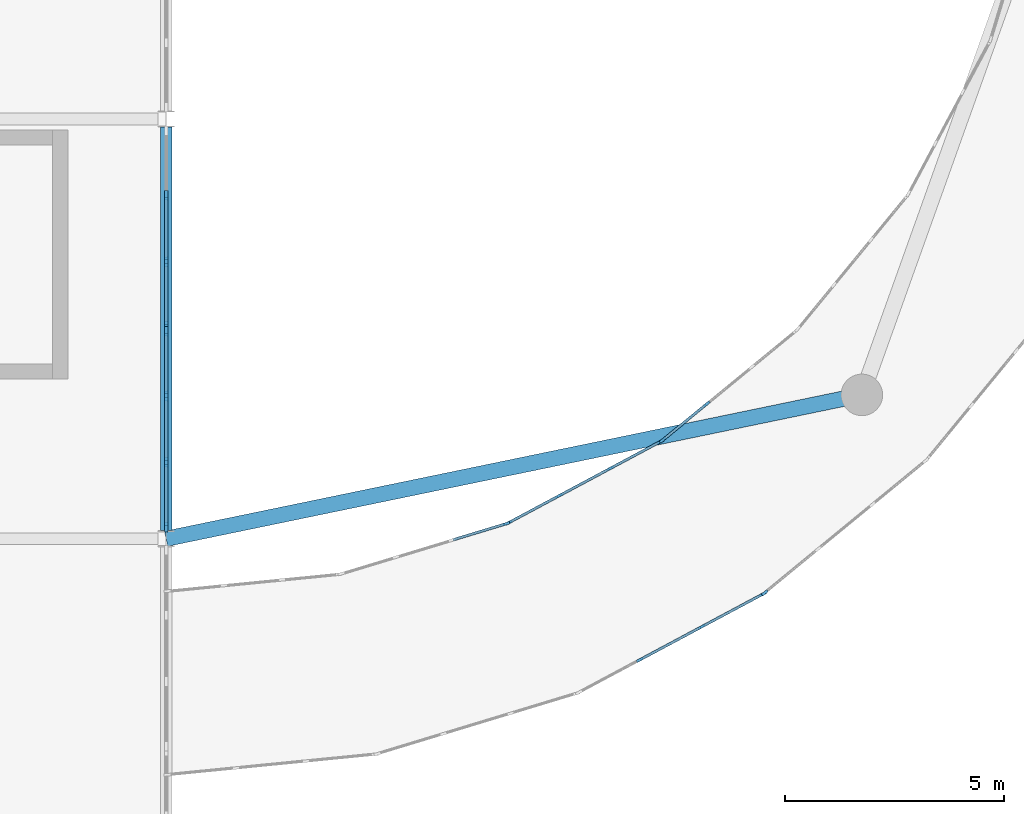
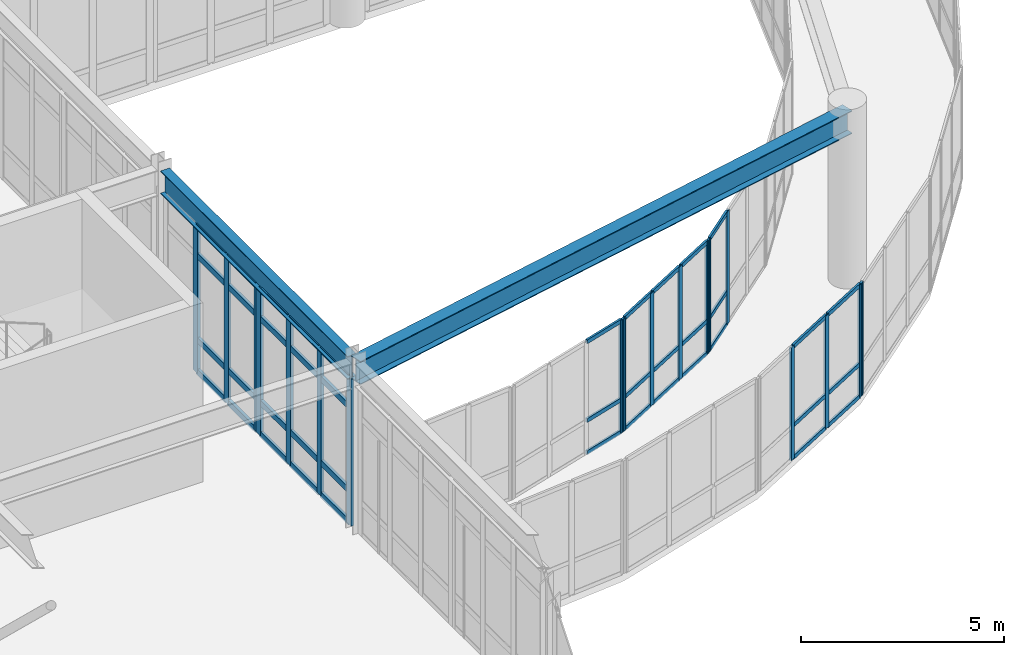
# One storey, part 18 of 72: 59 members, 2 beams, 7 elements without a shape of their own.
"""IFC4 building model written with IfcOpenShell, lengths in metres."""

from ifc_helpers import new_model, si_unit, direction, frame, origin, origin_2d, place, context, subcontext, project, spatial, rectangle, i_section, extrude, material, material_profile, profile_set, type_object, element, aggregate, save


model = new_model("IFC4")

# Units and contexts
model_context = context("Model", 3, precision=1e-05, world=origin(), true_north=direction((0.0, 1.0)))
body_context = subcontext(model_context, "Body", "Model", "MODEL_VIEW")
ifc_project = project(units=[si_unit("LENGTHUNIT", "METRE"), si_unit("AREAUNIT", "SQUARE_METRE"), si_unit("VOLUMEUNIT", "CUBIC_METRE"), si_unit("PLANEANGLEUNIT", "RADIAN"), si_unit("MASSUNIT", "GRAM", prefix="KILO")], contexts=[model_context])

# Site, building, storey
site_placement = place(None, origin())
site = spatial("IfcSite", under=ifc_project, at=site_placement, CompositionType="ELEMENT")
building_placement = place(site_placement, origin())
building = spatial("IfcBuilding", under=site, at=building_placement, Name="Veldera Park Congress Hotel", CompositionType="ELEMENT")
storey_placement = place(building_placement, frame((0.0, 0.0, 5.39990234375)))
storey = spatial("IfcBuildingStorey", under=building, at=storey_placement, Name="L01", CompositionType="ELEMENT", Elevation=5.39990234375)

# Beams
ifc_material_1 = material(Name="Steel ASTM A992 Gr.50", Category="steel")
ifc_material_profile_1 = material_profile(ifc_material_1, i_section(OverallWidth=0.256103515625, OverallDepth=0.693115234375, WebThickness=0.014404296875, FlangeThickness=0.023681640625, at=origin_2d()), Name="W27X114")
ifc_profile_set_1 = profile_set([ifc_material_profile_1], Name="Steel ASTM A992 Gr.50")
beam_type_1 = type_object("IfcBeamType", Name="BM-W27", PredefinedType="BEAM", material=ifc_profile_set_1)
beam_1_placement = place(storey_placement, frame((-1.60009765625, -1.614013671875, 4.78369140625), z_axis=(0.0, 1.0, 0.0), x_axis=(-1.0, 0.0, 0.0)))
element("IfcBeam", 1, at=beam_1_placement, inside=storey, type_object=beam_type_1, Name="L01 Girder BM-W27 702", PredefinedType="BEAM", context=body_context, shape_type="SweptSolid", body=[
    extrude(i_section(OverallWidth=0.256103515625, OverallDepth=0.693115234375, WebThickness=0.014404296875, FlangeThickness=0.023681640625, at=origin_2d()), origin(), (0.0, 0.0, 1.0), 9.22802734375),
])
ifc_material_profile_2 = material_profile(ifc_material_1, i_section(OverallWidth=0.35498046875, OverallDepth=0.696044921875, WebThickness=0.015380859375, FlangeThickness=0.02490234375, at=origin_2d()), Name="W27X146")
ifc_profile_set_2 = profile_set([ifc_material_profile_2], Name="Steel ASTM A992 Gr.50")
beam_type_2 = type_object("IfcBeamType", Name="BM-W27E", PredefinedType="BEAM", material=ifc_profile_set_2)
beam_2_placement = place(storey_placement, frame((-1.60009765625, -1.800048828125, 4.7900390625), z_axis=(0.979280770747, 0.202507214796, 0.0), x_axis=(-0.202507214796, 0.979280770747, 0.0)))
element("IfcBeam", 2, at=beam_2_placement, inside=storey, type_object=beam_type_2, Name="L01 Skybridge Support Girder A W", PredefinedType="BEAM", context=body_context, shape_type="SweptSolid", body=[
    extrude(i_section(OverallWidth=0.35498046875, OverallDepth=0.696044921875, WebThickness=0.015380859375, FlangeThickness=0.02490234375, at=origin_2d()), origin(), (0.0, 0.0, 1.0), 16.24658203125),
])

# Curtain wall, members
ifc_material_2 = material(Name="Low-E Triple Insulating Glass Unit (SHGC 0.22)", Category="glass")
curtain_wall_type_1 = type_object("IfcCurtainWallType", Name="CW-BRG", PredefinedType="NOTDEFINED", material=ifc_material_2)
curtain_wall_1_placement = place(storey_placement, origin())
curtain_wall_1 = element("IfcCurtainWall", 3, at=curtain_wall_1_placement, inside=storey, type_object=curtain_wall_type_1, Name="L01 Curtain Wall CW3-BRGW-L01-A02", PredefinedType="NOTDEFINED")
ifc_material_3 = material(Name="Anodised Aluminium Alloy 6063-T6", Category="aluminium")
ifc_material_profile_3 = material_profile(ifc_material_3, rectangle(XDim=0.06005859375, YDim=0.159912109375, at=origin_2d()), Name="ALU 60x160")
ifc_profile_set_3 = profile_set([ifc_material_profile_3], Name="Anodised Aluminium Alloy 6063-T6")
member_type_1 = type_object("IfcMemberType", Name="CWM-160", PredefinedType="MULLION", material=ifc_profile_set_3)
member_1_placement = place(storey_placement, frame((9.231689453125, -4.569580078125, 0.0), z_axis=(0.0, 0.0, 1.0), x_axis=(-0.471384501415, 0.881927804203, 0.0)))
member_1 = element("IfcMember", 4, at=member_1_placement, type_object=member_type_1, Name="CW-BRG mullion 2", PredefinedType="MULLION", context=body_context, shape_type="SweptSolid", body=[
    extrude(rectangle(XDim=0.06005859375, YDim=0.159912109375, at=origin_2d()), origin(), (0.0, 0.0, 1.0), 3.400146484375),
])
member_2_placement = place(storey_placement, frame((10.6494140625, -3.81201171875, 0.0), z_axis=(0.0, 0.0, 1.0), x_axis=(-0.471384501415, 0.881927804203, 0.0)))
member_2 = element("IfcMember", 5, at=member_2_placement, type_object=member_type_1, Name="CW-BRG mullion 3", PredefinedType="MULLION", context=body_context, shape_type="SweptSolid", body=[
    extrude(rectangle(XDim=0.06005859375, YDim=0.159912109375, at=origin_2d()), origin(), (0.0, 0.0, 1.0), 3.400146484375),
])
member_3_placement = place(storey_placement, frame((12.04052734375, -3.068359375, 0.0), z_axis=(0.0, 0.0, 1.0), x_axis=(-0.471384501415, 0.881927804203, 0.0)))
member_3 = element("IfcMember", 6, at=member_3_placement, type_object=member_type_1, Name="CW-BRG mullion 4", PredefinedType="MULLION", context=body_context, shape_type="SweptSolid", body=[
    extrude(rectangle(XDim=0.06005859375, YDim=0.159912109375, at=origin_2d()), origin(), (0.0, 0.0, 1.0), 3.400146484375),
])

# Curtain wall, member
curtain_wall_2_placement = place(storey_placement, origin())
curtain_wall_2 = element("IfcCurtainWall", 7, at=curtain_wall_2_placement, inside=storey, type_object=curtain_wall_type_1, Name="L01 Curtain Wall CW3-BRGW-L01-A03", PredefinedType="NOTDEFINED")
member_4_placement = place(storey_placement, frame((12.090087890625, -3.03515625, 0.0), z_axis=(0.0, 0.0, 1.0), x_axis=(-0.634402404183, 0.773002968666, 0.0)))
member_4 = element("IfcMember", 8, at=member_4_placement, type_object=member_type_1, Name="CW-BRG mullion 1", PredefinedType="MULLION", context=body_context, shape_type="SweptSolid", body=[
    extrude(rectangle(XDim=0.06005859375, YDim=0.159912109375, at=origin_2d()), origin(), (0.0, 0.0, 1.0), 3.400146484375),
])
aggregate(curtain_wall_2, [member_4])

# Curtain wall, members
curtain_wall_3_placement = place(storey_placement, origin())
curtain_wall_3 = element("IfcCurtainWall", 9, at=curtain_wall_3_placement, inside=storey, type_object=curtain_wall_type_1, Name="L01 Curtain Wall CW3-BRGW-L01-B13", PredefinedType="NOTDEFINED")
member_5_placement = place(storey_placement, frame((10.76416015625, 1.28369140625, 0.0), z_axis=(0.0, 0.0, 1.0), x_axis=(0.634386349036, -0.773016144823, 0.0)))
member_5 = element("IfcMember", 10, at=member_5_placement, type_object=member_type_1, Name="CW-BRG mullion 3", PredefinedType="MULLION", context=body_context, shape_type="SweptSolid", body=[
    extrude(rectangle(XDim=0.06005859375, YDim=0.159912109375, at=origin_2d()), origin(), (0.0, 0.0, 1.0), 3.400146484375),
])
member_6_placement = place(storey_placement, frame((9.7568359375, 0.45703125, 0.0), z_axis=(0.0, 0.0, 1.0), x_axis=(0.634386349036, -0.773016144823, 0.0)))
member_6 = element("IfcMember", 11, at=member_6_placement, type_object=member_type_1, Name="CW-BRG mullion 4", PredefinedType="MULLION", context=body_context, shape_type="SweptSolid", body=[
    extrude(rectangle(XDim=0.06005859375, YDim=0.159912109375, at=origin_2d()), origin(), (0.0, 0.0, 1.0), 3.400146484375),
])

curtain_wall_4_placement = place(storey_placement, origin())
curtain_wall_4 = element("IfcCurtainWall", 12, at=curtain_wall_4_placement, inside=storey, type_object=curtain_wall_type_1, Name="L01 Curtain Wall CW3-BRGW-L01-B14", PredefinedType="NOTDEFINED")
member_7_placement = place(storey_placement, frame((9.70703125, 0.423828125, 0.0), z_axis=(0.0, 0.0, 1.0), x_axis=(0.471383642588, -0.881928263239, 0.0)))
member_7 = element("IfcMember", 13, at=member_7_placement, type_object=member_type_1, Name="CW-BRG mullion 1", PredefinedType="MULLION", context=body_context, shape_type="SweptSolid", body=[
    extrude(rectangle(XDim=0.06005859375, YDim=0.159912109375, at=origin_2d()), origin(), (0.0, 0.0, 1.0), 3.400146484375),
])
member_8_placement = place(storey_placement, frame((8.557861328125, -0.1904296875, 0.0), z_axis=(0.0, 0.0, 1.0), x_axis=(0.471383642588, -0.881928263239, 0.0)))
member_8 = element("IfcMember", 14, at=member_8_placement, type_object=member_type_1, Name="CW-BRG mullion 2", PredefinedType="MULLION", context=body_context, shape_type="SweptSolid", body=[
    extrude(rectangle(XDim=0.06005859375, YDim=0.159912109375, at=origin_2d()), origin(), (0.0, 0.0, 1.0), 3.400146484375),
])
member_9_placement = place(storey_placement, frame((7.38232421875, -0.81884765625, 0.0), z_axis=(0.0, 0.0, 1.0), x_axis=(0.471383642588, -0.881928263239, 0.0)))
member_9 = element("IfcMember", 15, at=member_9_placement, type_object=member_type_1, Name="CW-BRG mullion 3", PredefinedType="MULLION", context=body_context, shape_type="SweptSolid", body=[
    extrude(rectangle(XDim=0.06005859375, YDim=0.159912109375, at=origin_2d()), origin(), (0.0, 0.0, 1.0), 3.400146484375),
])
member_10_placement = place(storey_placement, frame((6.233154296875, -1.432861328125, 0.0), z_axis=(0.0, 0.0, 1.0), x_axis=(0.471383642588, -0.881928263239, 0.0)))
member_10 = element("IfcMember", 16, at=member_10_placement, type_object=member_type_1, Name="CW-BRG mullion 4", PredefinedType="MULLION", context=body_context, shape_type="SweptSolid", body=[
    extrude(rectangle(XDim=0.06005859375, YDim=0.159912109375, at=origin_2d()), origin(), (0.0, 0.0, 1.0), 3.400146484375),
])

# Curtain wall, member
curtain_wall_5_placement = place(storey_placement, origin())
curtain_wall_5 = element("IfcCurtainWall", 17, at=curtain_wall_5_placement, inside=storey, type_object=curtain_wall_type_1, Name="L01 Curtain Wall CW3-BRGW-L01-B15", PredefinedType="NOTDEFINED")
member_11_placement = place(storey_placement, frame((6.177978515625, -1.455810546875, 0.0), z_axis=(0.0, 0.0, 1.0), x_axis=(0.290289846929, -0.956938767513, 0.0)))
member_11 = element("IfcMember", 18, at=member_11_placement, type_object=member_type_1, Name="CW-BRG mullion 1", PredefinedType="MULLION", context=body_context, shape_type="SweptSolid", body=[
    extrude(rectangle(XDim=0.06005859375, YDim=0.159912109375, at=origin_2d()), origin(), (0.0, 0.0, 1.0), 3.400146484375),
])

# Curtain wall, members
curtain_wall_type_2 = type_object("IfcCurtainWallType", Name="CW-POD", PredefinedType="NOTDEFINED", material=ifc_material_2)
curtain_wall_6_placement = place(storey_placement, origin())
curtain_wall_6 = element("IfcCurtainWall", 19, at=curtain_wall_6_placement, inside=storey, type_object=curtain_wall_type_2, Name="L01 Curtain Wall CW3-V1E-L01-025", PredefinedType="NOTDEFINED")
ifc_material_profile_4 = material_profile(ifc_material_3, rectangle(XDim=0.080078125, YDim=0.219970703125, at=origin_2d()), Name="ALU 80x220")
ifc_profile_set_4 = profile_set([ifc_material_profile_4], Name="Anodised Aluminium Alloy 6063-T6")
member_type_2 = type_object("IfcMemberType", Name="CWM-220", PredefinedType="MULLION", material=ifc_profile_set_4)
member_12_placement = place(storey_placement, frame((-1.60009765625, -1.533935546875, 0.0), z_axis=(0.0, 0.0, 1.0), x_axis=(-1.0, 0.0, 0.0)))
member_12 = element("IfcMember", 20, at=member_12_placement, type_object=member_type_2, Name="CW-POD mullion 1", PredefinedType="MULLION", context=body_context, shape_type="SweptSolid", body=[
    extrude(rectangle(XDim=0.080078125, YDim=0.219970703125, at=origin_2d()), origin(), (0.0, 0.0, 1.0), 4.43212890625),
])
member_13_placement = place(storey_placement, frame((-1.60009765625, -0.054443359375, 0.0), z_axis=(0.0, 0.0, 1.0), x_axis=(-1.0, 0.0, 0.0)))
member_13 = element("IfcMember", 21, at=member_13_placement, type_object=member_type_2, Name="CW-POD mullion 2", PredefinedType="MULLION", context=body_context, shape_type="SweptSolid", body=[
    extrude(rectangle(XDim=0.080078125, YDim=0.219970703125, at=origin_2d()), origin(), (0.0, 0.0, 1.0), 4.43212890625),
])
member_14_placement = place(storey_placement, frame((-1.60009765625, 1.46533203125, 0.0), z_axis=(0.0, 0.0, 1.0), x_axis=(-1.0, 0.0, 0.0)))
member_14 = element("IfcMember", 22, at=member_14_placement, type_object=member_type_2, Name="CW-POD mullion 3", PredefinedType="MULLION", context=body_context, shape_type="SweptSolid", body=[
    extrude(rectangle(XDim=0.080078125, YDim=0.219970703125, at=origin_2d()), origin(), (0.0, 0.0, 1.0), 4.43212890625),
])
member_15_placement = place(storey_placement, frame((-1.60009765625, 2.945068359375, 0.0), z_axis=(0.0, 0.0, 1.0), x_axis=(-1.0, 0.0, 0.0)))
member_15 = element("IfcMember", 23, at=member_15_placement, type_object=member_type_2, Name="CW-POD mullion 4", PredefinedType="MULLION", context=body_context, shape_type="SweptSolid", body=[
    extrude(rectangle(XDim=0.080078125, YDim=0.219970703125, at=origin_2d()), origin(), (0.0, 0.0, 1.0), 4.43212890625),
])

curtain_wall_7_placement = place(storey_placement, origin())
curtain_wall_7 = element("IfcCurtainWall", 24, at=curtain_wall_7_placement, inside=storey, type_object=curtain_wall_type_2, Name="L01 Curtain Wall CW3-V1E-L01-026", PredefinedType="NOTDEFINED")
member_16_placement = place(storey_placement, frame((-1.60009765625, 3.054931640625, 0.0), z_axis=(0.0, 0.0, 1.0), x_axis=(-1.0, 0.0, 0.0)))
member_16 = element("IfcMember", 25, at=member_16_placement, type_object=member_type_2, Name="CW-POD mullion 1", PredefinedType="MULLION", context=body_context, shape_type="SweptSolid", body=[
    extrude(rectangle(XDim=0.080078125, YDim=0.219970703125, at=origin_2d()), origin(), (0.0, 0.0, 1.0), 4.43212890625),
])
member_17_placement = place(storey_placement, frame((-1.60009765625, 4.53466796875, 0.0), z_axis=(0.0, 0.0, 1.0), x_axis=(-1.0, 0.0, 0.0)))
member_17 = element("IfcMember", 26, at=member_17_placement, type_object=member_type_2, Name="CW-POD mullion 2", PredefinedType="MULLION", context=body_context, shape_type="SweptSolid", body=[
    extrude(rectangle(XDim=0.080078125, YDim=0.219970703125, at=origin_2d()), origin(), (0.0, 0.0, 1.0), 4.43212890625),
])
member_18_placement = place(storey_placement, frame((-1.60009765625, 6.054443359375, 0.0), z_axis=(0.0, 0.0, 1.0), x_axis=(-1.0, 0.0, 0.0)))
member_18 = element("IfcMember", 27, at=member_18_placement, type_object=member_type_2, Name="CW-POD mullion 3", PredefinedType="MULLION", context=body_context, shape_type="SweptSolid", body=[
    extrude(rectangle(XDim=0.080078125, YDim=0.219970703125, at=origin_2d()), origin(), (0.0, 0.0, 1.0), 4.43212890625),
])

# Member
ifc_material_profile_5 = material_profile(ifc_material_3, rectangle(XDim=0.06005859375, YDim=0.1201171875, at=origin_2d()), Name="ALU 60x120")
ifc_profile_set_5 = profile_set([ifc_material_profile_5], Name="Anodised Aluminium Alloy 6063-T6")
member_type_3 = type_object("IfcMemberType", Name="CWT-120", PredefinedType="USERDEFINED", material=ifc_profile_set_5)
member_19_placement = place(storey_placement, frame((9.258056640625, -4.555419921875, 0.030029296875), z_axis=(0.881981423245, 0.471284170167, 0.0), x_axis=(-0.471284170167, 0.881981423245, 0.0)))
member_19 = element("IfcMember", 28, at=member_19_placement, type_object=member_type_3, Name="CW-BRG transom 2.1", ObjectType="TRANSOM", PredefinedType="USERDEFINED", context=body_context, shape_type="SweptSolid", body=[
    extrude(rectangle(XDim=0.06005859375, YDim=0.1201171875, at=origin_2d()), origin(), (0.0, 0.0, 1.0), 1.54736328125),
])

member_20_placement = place(storey_placement, frame((9.258056640625, -4.555419921875, 1.0), z_axis=(0.881981423245, 0.471284170167, 0.0), x_axis=(-0.471284170167, 0.881981423245, 0.0)))
member_20 = element("IfcMember", 29, at=member_20_placement, type_object=member_type_3, Name="CW-BRG transom 2.2", ObjectType="TRANSOM", PredefinedType="USERDEFINED", context=body_context, shape_type="SweptSolid", body=[
    extrude(rectangle(XDim=0.06005859375, YDim=0.1201171875, at=origin_2d()), origin(), (0.0, 0.0, 1.0), 1.54736328125),
])

member_21_placement = place(storey_placement, frame((9.258056640625, -4.555419921875, 3.3701171875), z_axis=(0.881981423245, 0.471284170167, 0.0), x_axis=(-0.471284170167, 0.881981423245, 0.0)))
member_21 = element("IfcMember", 30, at=member_21_placement, type_object=member_type_3, Name="CW-BRG transom 2.3", ObjectType="TRANSOM", PredefinedType="USERDEFINED", context=body_context, shape_type="SweptSolid", body=[
    extrude(rectangle(XDim=0.06005859375, YDim=0.1201171875, at=origin_2d()), origin(), (0.0, 0.0, 1.0), 1.54736328125),
])

member_22_placement = place(storey_placement, frame((10.67578125, -3.7978515625, 0.030029296875), z_axis=(0.881933974892, 0.4713729563, 0.0), x_axis=(-0.4713729563, 0.881933974892, 0.0)))
member_22 = element("IfcMember", 31, at=member_22_placement, type_object=member_type_3, Name="CW-BRG transom 3.1", ObjectType="TRANSOM", PredefinedType="USERDEFINED", context=body_context, shape_type="SweptSolid", body=[
    extrude(rectangle(XDim=0.06005859375, YDim=0.1201171875, at=origin_2d()), origin(), (0.0, 0.0, 1.0), 1.517578125),
])

member_23_placement = place(storey_placement, frame((10.67578125, -3.7978515625, 1.0), z_axis=(0.881933974892, 0.4713729563, 0.0), x_axis=(-0.4713729563, 0.881933974892, 0.0)))
member_23 = element("IfcMember", 32, at=member_23_placement, type_object=member_type_3, Name="CW-BRG transom 3.2", ObjectType="TRANSOM", PredefinedType="USERDEFINED", context=body_context, shape_type="SweptSolid", body=[
    extrude(rectangle(XDim=0.06005859375, YDim=0.1201171875, at=origin_2d()), origin(), (0.0, 0.0, 1.0), 1.517578125),
])

member_24_placement = place(storey_placement, frame((10.67578125, -3.7978515625, 3.3701171875), z_axis=(0.881933974892, 0.4713729563, 0.0), x_axis=(-0.4713729563, 0.881933974892, 0.0)))
member_24 = element("IfcMember", 33, at=member_24_placement, type_object=member_type_3, Name="CW-BRG transom 3.3", ObjectType="TRANSOM", PredefinedType="USERDEFINED", context=body_context, shape_type="SweptSolid", body=[
    extrude(rectangle(XDim=0.06005859375, YDim=0.1201171875, at=origin_2d()), origin(), (0.0, 0.0, 1.0), 1.517578125),
])

aggregate(curtain_wall_1, [member_1, member_2, member_3, member_19, member_20, member_21, member_22, member_23, member_24])

member_25_placement = place(storey_placement, frame((10.740966796875, 1.2646484375, 0.030029296875), z_axis=(-0.773028918218, -0.634370784005, 0.0), x_axis=(0.634370784005, -0.773028918218, 0.0)))
member_25 = element("IfcMember", 34, at=member_25_placement, type_object=member_type_3, Name="CW-BRG transom 3.1", ObjectType="TRANSOM", PredefinedType="USERDEFINED", context=body_context, shape_type="SweptSolid", body=[
    extrude(rectangle(XDim=0.06005859375, YDim=0.1201171875, at=origin_2d()), origin(), (0.0, 0.0, 1.0), 1.2431640625),
])

member_26_placement = place(storey_placement, frame((10.740966796875, 1.2646484375, 1.0), z_axis=(-0.773028918218, -0.634370784005, 0.0), x_axis=(0.634370784005, -0.773028918218, 0.0)))
member_26 = element("IfcMember", 35, at=member_26_placement, type_object=member_type_3, Name="CW-BRG transom 3.2", ObjectType="TRANSOM", PredefinedType="USERDEFINED", context=body_context, shape_type="SweptSolid", body=[
    extrude(rectangle(XDim=0.06005859375, YDim=0.1201171875, at=origin_2d()), origin(), (0.0, 0.0, 1.0), 1.2431640625),
])

member_27_placement = place(storey_placement, frame((10.740966796875, 1.2646484375, 3.3701171875), z_axis=(-0.773028918218, -0.634370784005, 0.0), x_axis=(0.634370784005, -0.773028918218, 0.0)))
member_27 = element("IfcMember", 36, at=member_27_placement, type_object=member_type_3, Name="CW-BRG transom 3.3", ObjectType="TRANSOM", PredefinedType="USERDEFINED", context=body_context, shape_type="SweptSolid", body=[
    extrude(rectangle(XDim=0.06005859375, YDim=0.1201171875, at=origin_2d()), origin(), (0.0, 0.0, 1.0), 1.2431640625),
])

aggregate(curtain_wall_3, [member_5, member_6, member_25, member_26, member_27])

member_28_placement = place(storey_placement, frame((9.6806640625, 0.40966796875, 0.030029296875), z_axis=(-0.881917589752, -0.471403611449, 0.0), x_axis=(0.471403611449, -0.881917589752, 0.0)))
member_28 = element("IfcMember", 37, at=member_28_placement, type_object=member_type_3, Name="CW-BRG transom 1.1", ObjectType="TRANSOM", PredefinedType="USERDEFINED", context=body_context, shape_type="SweptSolid", body=[
    extrude(rectangle(XDim=0.06005859375, YDim=0.1201171875, at=origin_2d()), origin(), (0.0, 0.0, 1.0), 1.242919921875),
])

member_29_placement = place(storey_placement, frame((9.6806640625, 0.40966796875, 1.0), z_axis=(-0.881917589752, -0.471403611449, 0.0), x_axis=(0.471403611449, -0.881917589752, 0.0)))
member_29 = element("IfcMember", 38, at=member_29_placement, type_object=member_type_3, Name="CW-BRG transom 1.2", ObjectType="TRANSOM", PredefinedType="USERDEFINED", context=body_context, shape_type="SweptSolid", body=[
    extrude(rectangle(XDim=0.06005859375, YDim=0.1201171875, at=origin_2d()), origin(), (0.0, 0.0, 1.0), 1.242919921875),
])

member_30_placement = place(storey_placement, frame((9.6806640625, 0.40966796875, 3.3701171875), z_axis=(-0.881917589752, -0.471403611449, 0.0), x_axis=(0.471403611449, -0.881917589752, 0.0)))
member_30 = element("IfcMember", 39, at=member_30_placement, type_object=member_type_3, Name="CW-BRG transom 1.3", ObjectType="TRANSOM", PredefinedType="USERDEFINED", context=body_context, shape_type="SweptSolid", body=[
    extrude(rectangle(XDim=0.06005859375, YDim=0.1201171875, at=origin_2d()), origin(), (0.0, 0.0, 1.0), 1.242919921875),
])

member_31_placement = place(storey_placement, frame((8.531494140625, -0.20458984375, 0.030029296875), z_axis=(-0.88193854117, -0.471364412741, 0.0), x_axis=(0.471364412741, -0.88193854117, 0.0)))
member_31 = element("IfcMember", 40, at=member_31_placement, type_object=member_type_3, Name="CW-BRG transom 2.1", ObjectType="TRANSOM", PredefinedType="USERDEFINED", context=body_context, shape_type="SweptSolid", body=[
    extrude(rectangle(XDim=0.06005859375, YDim=0.1201171875, at=origin_2d()), origin(), (0.0, 0.0, 1.0), 1.273193359375),
])

member_32_placement = place(storey_placement, frame((8.531494140625, -0.20458984375, 1.0), z_axis=(-0.88193854117, -0.471364412741, 0.0), x_axis=(0.471364412741, -0.88193854117, 0.0)))
member_32 = element("IfcMember", 41, at=member_32_placement, type_object=member_type_3, Name="CW-BRG transom 2.2", ObjectType="TRANSOM", PredefinedType="USERDEFINED", context=body_context, shape_type="SweptSolid", body=[
    extrude(rectangle(XDim=0.06005859375, YDim=0.1201171875, at=origin_2d()), origin(), (0.0, 0.0, 1.0), 1.273193359375),
])

member_33_placement = place(storey_placement, frame((8.531494140625, -0.20458984375, 3.3701171875), z_axis=(-0.88193854117, -0.471364412741, 0.0), x_axis=(0.471364412741, -0.88193854117, 0.0)))
member_33 = element("IfcMember", 42, at=member_33_placement, type_object=member_type_3, Name="CW-BRG transom 2.3", ObjectType="TRANSOM", PredefinedType="USERDEFINED", context=body_context, shape_type="SweptSolid", body=[
    extrude(rectangle(XDim=0.06005859375, YDim=0.1201171875, at=origin_2d()), origin(), (0.0, 0.0, 1.0), 1.273193359375),
])

member_34_placement = place(storey_placement, frame((7.35595703125, -0.832763671875, 0.030029296875), z_axis=(-0.881961226727, -0.471321964851, 0.0), x_axis=(0.471321964851, -0.881961226727, 0.0)))
member_34 = element("IfcMember", 43, at=member_34_placement, type_object=member_type_3, Name="CW-BRG transom 3.1", ObjectType="TRANSOM", PredefinedType="USERDEFINED", context=body_context, shape_type="SweptSolid", body=[
    extrude(rectangle(XDim=0.06005859375, YDim=0.1201171875, at=origin_2d()), origin(), (0.0, 0.0, 1.0), 1.2431640625),
])

member_35_placement = place(storey_placement, frame((7.35595703125, -0.832763671875, 1.0), z_axis=(-0.881961226727, -0.471321964851, 0.0), x_axis=(0.471321964851, -0.881961226727, 0.0)))
member_35 = element("IfcMember", 44, at=member_35_placement, type_object=member_type_3, Name="CW-BRG transom 3.2", ObjectType="TRANSOM", PredefinedType="USERDEFINED", context=body_context, shape_type="SweptSolid", body=[
    extrude(rectangle(XDim=0.06005859375, YDim=0.1201171875, at=origin_2d()), origin(), (0.0, 0.0, 1.0), 1.2431640625),
])

member_36_placement = place(storey_placement, frame((7.35595703125, -0.832763671875, 3.3701171875), z_axis=(-0.881961226727, -0.471321964851, 0.0), x_axis=(0.471321964851, -0.881961226727, 0.0)))
member_36 = element("IfcMember", 45, at=member_36_placement, type_object=member_type_3, Name="CW-BRG transom 3.3", ObjectType="TRANSOM", PredefinedType="USERDEFINED", context=body_context, shape_type="SweptSolid", body=[
    extrude(rectangle(XDim=0.06005859375, YDim=0.1201171875, at=origin_2d()), origin(), (0.0, 0.0, 1.0), 1.2431640625),
])

aggregate(curtain_wall_4, [member_7, member_8, member_9, member_10, member_28, member_29, member_30, member_31, member_32, member_33, member_34, member_35, member_36])

member_37_placement = place(storey_placement, frame((6.149169921875, -1.464599609375, 0.030029296875), z_axis=(-0.956935154583, -0.290301756665, 0.0), x_axis=(0.290301756665, -0.956935154583, 0.0)))
member_37 = element("IfcMember", 46, at=member_37_placement, type_object=member_type_3, Name="CW-BRG transom 1.1", ObjectType="TRANSOM", PredefinedType="USERDEFINED", context=body_context, shape_type="SweptSolid", body=[
    extrude(rectangle(XDim=0.06005859375, YDim=0.1201171875, at=origin_2d()), origin(), (0.0, 0.0, 1.0), 1.242919921875),
])

member_38_placement = place(storey_placement, frame((6.149169921875, -1.464599609375, 1.0), z_axis=(-0.956935154583, -0.290301756665, 0.0), x_axis=(0.290301756665, -0.956935154583, 0.0)))
member_38 = element("IfcMember", 47, at=member_38_placement, type_object=member_type_3, Name="CW-BRG transom 1.2", ObjectType="TRANSOM", PredefinedType="USERDEFINED", context=body_context, shape_type="SweptSolid", body=[
    extrude(rectangle(XDim=0.06005859375, YDim=0.1201171875, at=origin_2d()), origin(), (0.0, 0.0, 1.0), 1.242919921875),
])

member_39_placement = place(storey_placement, frame((6.149169921875, -1.464599609375, 3.3701171875), z_axis=(-0.956935154583, -0.290301756665, 0.0), x_axis=(0.290301756665, -0.956935154583, 0.0)))
member_39 = element("IfcMember", 48, at=member_39_placement, type_object=member_type_3, Name="CW-BRG transom 1.3", ObjectType="TRANSOM", PredefinedType="USERDEFINED", context=body_context, shape_type="SweptSolid", body=[
    extrude(rectangle(XDim=0.06005859375, YDim=0.1201171875, at=origin_2d()), origin(), (0.0, 0.0, 1.0), 1.242919921875),
])

aggregate(curtain_wall_5, [member_11, member_37, member_38, member_39])

ifc_material_profile_6 = material_profile(ifc_material_3, rectangle(XDim=0.080078125, YDim=0.179931640625, at=origin_2d()), Name="ALU 80x180")
ifc_profile_set_6 = profile_set([ifc_material_profile_6], Name="Anodised Aluminium Alloy 6063-T6")
member_type_4 = type_object("IfcMemberType", Name="CWT-180", PredefinedType="USERDEFINED", material=ifc_profile_set_6)
member_40_placement = place(storey_placement, frame((-1.60009765625, -1.493896484375, 0.0400390625), z_axis=(0.0, 1.0, 0.0), x_axis=(-1.0, 0.0, 0.0)))
member_40 = element("IfcMember", 49, at=member_40_placement, type_object=member_type_4, Name="CW-POD transom 1.1", ObjectType="TRANSOM", PredefinedType="USERDEFINED", context=body_context, shape_type="SweptSolid", body=[
    extrude(rectangle(XDim=0.080078125, YDim=0.179931640625, at=origin_2d()), origin(), (0.0, 0.0, 1.0), 1.399658203125),
])

member_41_placement = place(storey_placement, frame((-1.60009765625, -1.493896484375, 1.0), z_axis=(0.0, 1.0, 0.0), x_axis=(-1.0, 0.0, 0.0)))
member_41 = element("IfcMember", 50, at=member_41_placement, type_object=member_type_4, Name="CW-POD transom 1.2", ObjectType="TRANSOM", PredefinedType="USERDEFINED", context=body_context, shape_type="SweptSolid", body=[
    extrude(rectangle(XDim=0.080078125, YDim=0.179931640625, at=origin_2d()), origin(), (0.0, 0.0, 1.0), 1.399658203125),
])

member_42_placement = place(storey_placement, frame((-1.60009765625, -1.493896484375, 3.531982421875), z_axis=(0.0, 1.0, 0.0), x_axis=(-1.0, 0.0, 0.0)))
member_42 = element("IfcMember", 51, at=member_42_placement, type_object=member_type_4, Name="CW-POD transom 1.3", ObjectType="TRANSOM", PredefinedType="USERDEFINED", context=body_context, shape_type="SweptSolid", body=[
    extrude(rectangle(XDim=0.080078125, YDim=0.179931640625, at=origin_2d()), origin(), (0.0, 0.0, 1.0), 1.399658203125),
])

member_43_placement = place(storey_placement, frame((-1.60009765625, -1.493896484375, 4.39208984375), z_axis=(0.0, 1.0, 0.0), x_axis=(-1.0, 0.0, 0.0)))
member_43 = element("IfcMember", 52, at=member_43_placement, type_object=member_type_4, Name="CW-POD transom 1.4", ObjectType="TRANSOM", PredefinedType="USERDEFINED", context=body_context, shape_type="SweptSolid", body=[
    extrude(rectangle(XDim=0.080078125, YDim=0.179931640625, at=origin_2d()), origin(), (0.0, 0.0, 1.0), 1.399658203125),
])

member_44_placement = place(storey_placement, frame((-1.60009765625, -0.014404296875, 0.0400390625), z_axis=(0.0, 1.0, 0.0), x_axis=(-1.0, 0.0, 0.0)))
member_44 = element("IfcMember", 53, at=member_44_placement, type_object=member_type_4, Name="CW-POD transom 2.1", ObjectType="TRANSOM", PredefinedType="USERDEFINED", context=body_context, shape_type="SweptSolid", body=[
    extrude(rectangle(XDim=0.080078125, YDim=0.179931640625, at=origin_2d()), origin(), (0.0, 0.0, 1.0), 1.439697265625),
])

member_45_placement = place(storey_placement, frame((-1.60009765625, -0.014404296875, 1.0), z_axis=(0.0, 1.0, 0.0), x_axis=(-1.0, 0.0, 0.0)))
member_45 = element("IfcMember", 54, at=member_45_placement, type_object=member_type_4, Name="CW-POD transom 2.2", ObjectType="TRANSOM", PredefinedType="USERDEFINED", context=body_context, shape_type="SweptSolid", body=[
    extrude(rectangle(XDim=0.080078125, YDim=0.179931640625, at=origin_2d()), origin(), (0.0, 0.0, 1.0), 1.439697265625),
])

member_46_placement = place(storey_placement, frame((-1.60009765625, -0.014404296875, 3.531982421875), z_axis=(0.0, 1.0, 0.0), x_axis=(-1.0, 0.0, 0.0)))
member_46 = element("IfcMember", 55, at=member_46_placement, type_object=member_type_4, Name="CW-POD transom 2.3", ObjectType="TRANSOM", PredefinedType="USERDEFINED", context=body_context, shape_type="SweptSolid", body=[
    extrude(rectangle(XDim=0.080078125, YDim=0.179931640625, at=origin_2d()), origin(), (0.0, 0.0, 1.0), 1.439697265625),
])

member_47_placement = place(storey_placement, frame((-1.60009765625, -0.014404296875, 4.39208984375), z_axis=(0.0, 1.0, 0.0), x_axis=(-1.0, 0.0, 0.0)))
member_47 = element("IfcMember", 56, at=member_47_placement, type_object=member_type_4, Name="CW-POD transom 2.4", ObjectType="TRANSOM", PredefinedType="USERDEFINED", context=body_context, shape_type="SweptSolid", body=[
    extrude(rectangle(XDim=0.080078125, YDim=0.179931640625, at=origin_2d()), origin(), (0.0, 0.0, 1.0), 1.439697265625),
])

member_48_placement = place(storey_placement, frame((-1.60009765625, 1.50537109375, 0.0400390625), z_axis=(0.0, 1.0, 0.0), x_axis=(-1.0, 0.0, 0.0)))
member_48 = element("IfcMember", 57, at=member_48_placement, type_object=member_type_4, Name="CW-POD transom 3.1", ObjectType="TRANSOM", PredefinedType="USERDEFINED", context=body_context, shape_type="SweptSolid", body=[
    extrude(rectangle(XDim=0.080078125, YDim=0.179931640625, at=origin_2d()), origin(), (0.0, 0.0, 1.0), 1.399658203125),
])

member_49_placement = place(storey_placement, frame((-1.60009765625, 1.50537109375, 1.0), z_axis=(0.0, 1.0, 0.0), x_axis=(-1.0, 0.0, 0.0)))
member_49 = element("IfcMember", 58, at=member_49_placement, type_object=member_type_4, Name="CW-POD transom 3.2", ObjectType="TRANSOM", PredefinedType="USERDEFINED", context=body_context, shape_type="SweptSolid", body=[
    extrude(rectangle(XDim=0.080078125, YDim=0.179931640625, at=origin_2d()), origin(), (0.0, 0.0, 1.0), 1.399658203125),
])

member_50_placement = place(storey_placement, frame((-1.60009765625, 1.50537109375, 3.531982421875), z_axis=(0.0, 1.0, 0.0), x_axis=(-1.0, 0.0, 0.0)))
member_50 = element("IfcMember", 59, at=member_50_placement, type_object=member_type_4, Name="CW-POD transom 3.3", ObjectType="TRANSOM", PredefinedType="USERDEFINED", context=body_context, shape_type="SweptSolid", body=[
    extrude(rectangle(XDim=0.080078125, YDim=0.179931640625, at=origin_2d()), origin(), (0.0, 0.0, 1.0), 1.399658203125),
])

member_51_placement = place(storey_placement, frame((-1.60009765625, 1.50537109375, 4.39208984375), z_axis=(0.0, 1.0, 0.0), x_axis=(-1.0, 0.0, 0.0)))
member_51 = element("IfcMember", 60, at=member_51_placement, type_object=member_type_4, Name="CW-POD transom 3.4", ObjectType="TRANSOM", PredefinedType="USERDEFINED", context=body_context, shape_type="SweptSolid", body=[
    extrude(rectangle(XDim=0.080078125, YDim=0.179931640625, at=origin_2d()), origin(), (0.0, 0.0, 1.0), 1.399658203125),
])

aggregate(curtain_wall_6, [member_12, member_13, member_14, member_15, member_40, member_41, member_42, member_43, member_44, member_45, member_46, member_47, member_48, member_49, member_50, member_51])

member_52_placement = place(storey_placement, frame((-1.60009765625, 3.094970703125, 0.0400390625), z_axis=(0.0, 1.0, 0.0), x_axis=(-1.0, 0.0, 0.0)))
member_52 = element("IfcMember", 61, at=member_52_placement, type_object=member_type_4, Name="CW-POD transom 1.1", ObjectType="TRANSOM", PredefinedType="USERDEFINED", context=body_context, shape_type="SweptSolid", body=[
    extrude(rectangle(XDim=0.080078125, YDim=0.179931640625, at=origin_2d()), origin(), (0.0, 0.0, 1.0), 1.399658203125),
])

member_53_placement = place(storey_placement, frame((-1.60009765625, 3.094970703125, 1.0), z_axis=(0.0, 1.0, 0.0), x_axis=(-1.0, 0.0, 0.0)))
member_53 = element("IfcMember", 62, at=member_53_placement, type_object=member_type_4, Name="CW-POD transom 1.2", ObjectType="TRANSOM", PredefinedType="USERDEFINED", context=body_context, shape_type="SweptSolid", body=[
    extrude(rectangle(XDim=0.080078125, YDim=0.179931640625, at=origin_2d()), origin(), (0.0, 0.0, 1.0), 1.399658203125),
])

member_54_placement = place(storey_placement, frame((-1.60009765625, 3.094970703125, 3.531982421875), z_axis=(0.0, 1.0, 0.0), x_axis=(-1.0, 0.0, 0.0)))
member_54 = element("IfcMember", 63, at=member_54_placement, type_object=member_type_4, Name="CW-POD transom 1.3", ObjectType="TRANSOM", PredefinedType="USERDEFINED", context=body_context, shape_type="SweptSolid", body=[
    extrude(rectangle(XDim=0.080078125, YDim=0.179931640625, at=origin_2d()), origin(), (0.0, 0.0, 1.0), 1.399658203125),
])

member_55_placement = place(storey_placement, frame((-1.60009765625, 3.094970703125, 4.39208984375), z_axis=(0.0, 1.0, 0.0), x_axis=(-1.0, 0.0, 0.0)))
member_55 = element("IfcMember", 64, at=member_55_placement, type_object=member_type_4, Name="CW-POD transom 1.4", ObjectType="TRANSOM", PredefinedType="USERDEFINED", context=body_context, shape_type="SweptSolid", body=[
    extrude(rectangle(XDim=0.080078125, YDim=0.179931640625, at=origin_2d()), origin(), (0.0, 0.0, 1.0), 1.399658203125),
])

member_56_placement = place(storey_placement, frame((-1.60009765625, 4.57470703125, 0.0400390625), z_axis=(0.0, 1.0, 0.0), x_axis=(-1.0, 0.0, 0.0)))
member_56 = element("IfcMember", 65, at=member_56_placement, type_object=member_type_4, Name="CW-POD transom 2.1", ObjectType="TRANSOM", PredefinedType="USERDEFINED", context=body_context, shape_type="SweptSolid", body=[
    extrude(rectangle(XDim=0.080078125, YDim=0.179931640625, at=origin_2d()), origin(), (0.0, 0.0, 1.0), 1.439697265625),
])

member_57_placement = place(storey_placement, frame((-1.60009765625, 4.57470703125, 1.0), z_axis=(0.0, 1.0, 0.0), x_axis=(-1.0, 0.0, 0.0)))
member_57 = element("IfcMember", 66, at=member_57_placement, type_object=member_type_4, Name="CW-POD transom 2.2", ObjectType="TRANSOM", PredefinedType="USERDEFINED", context=body_context, shape_type="SweptSolid", body=[
    extrude(rectangle(XDim=0.080078125, YDim=0.179931640625, at=origin_2d()), origin(), (0.0, 0.0, 1.0), 1.439697265625),
])

member_58_placement = place(storey_placement, frame((-1.60009765625, 4.57470703125, 3.531982421875), z_axis=(0.0, 1.0, 0.0), x_axis=(-1.0, 0.0, 0.0)))
member_58 = element("IfcMember", 67, at=member_58_placement, type_object=member_type_4, Name="CW-POD transom 2.3", ObjectType="TRANSOM", PredefinedType="USERDEFINED", context=body_context, shape_type="SweptSolid", body=[
    extrude(rectangle(XDim=0.080078125, YDim=0.179931640625, at=origin_2d()), origin(), (0.0, 0.0, 1.0), 1.439697265625),
])

member_59_placement = place(storey_placement, frame((-1.60009765625, 4.57470703125, 4.39208984375), z_axis=(0.0, 1.0, 0.0), x_axis=(-1.0, 0.0, 0.0)))
member_59 = element("IfcMember", 68, at=member_59_placement, type_object=member_type_4, Name="CW-POD transom 2.4", ObjectType="TRANSOM", PredefinedType="USERDEFINED", context=body_context, shape_type="SweptSolid", body=[
    extrude(rectangle(XDim=0.080078125, YDim=0.179931640625, at=origin_2d()), origin(), (0.0, 0.0, 1.0), 1.439697265625),
])

aggregate(curtain_wall_7, [member_16, member_17, member_18, member_52, member_53, member_54, member_55, member_56, member_57, member_58, member_59])

save(model, "model.ifc")
